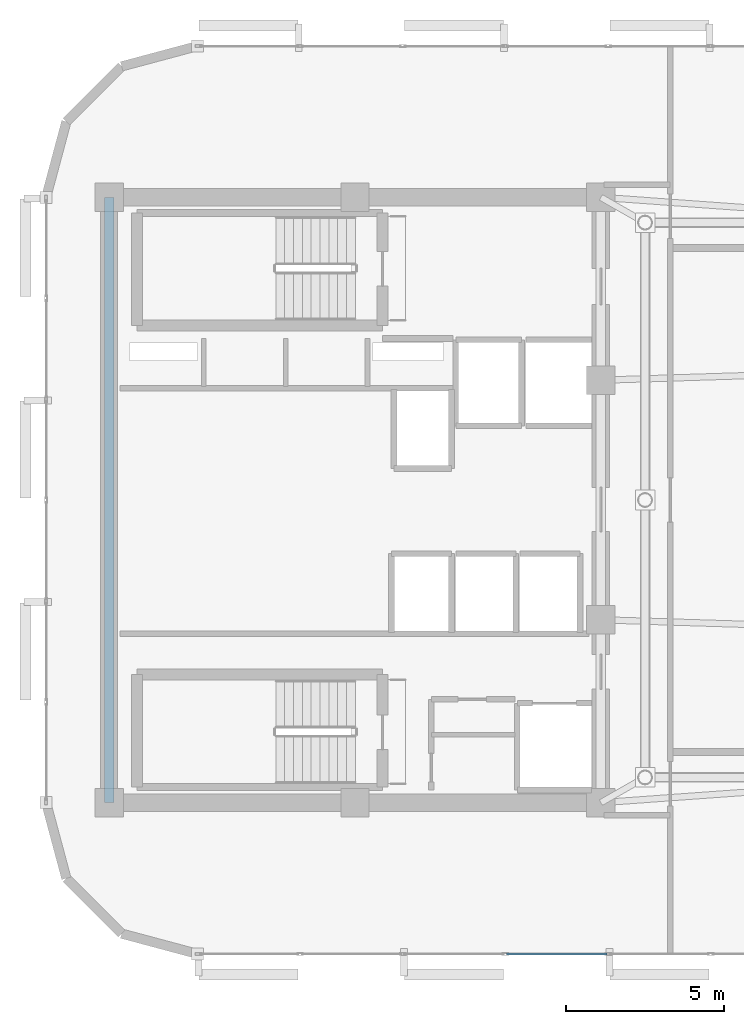
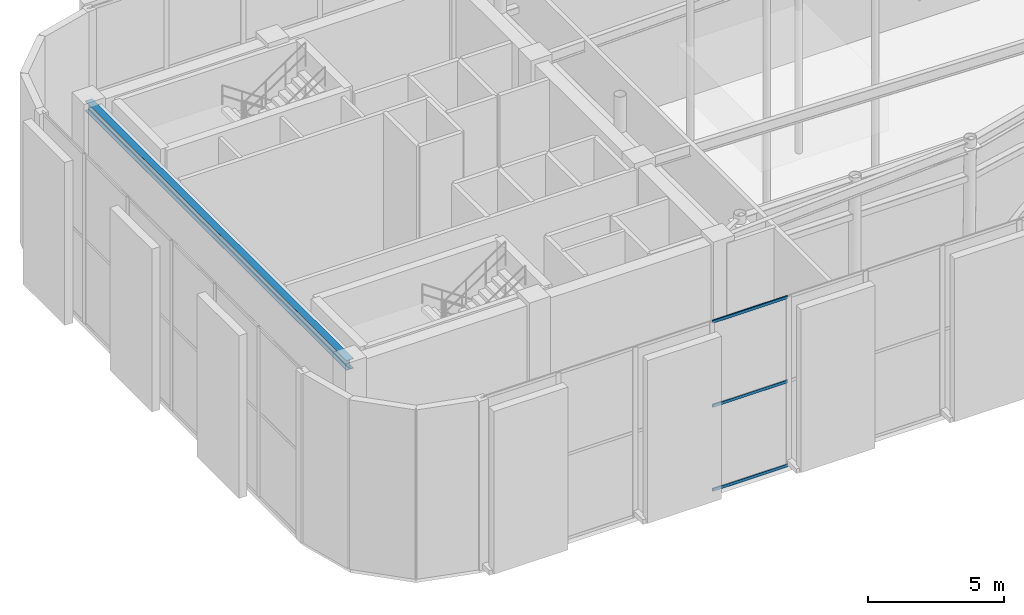
# One storey, part 4 of 22: 3 members, 1 beam, 1 element without a shape of its own.
"""IFC4 building model written with IfcOpenShell, lengths in metres."""

from ifc_helpers import new_model, si_unit, direction, frame, origin, origin_2d, place, context, subcontext, project, spatial, hollow_rectangle, i_section, extrude, material, layer, layer_set, material_profile, profile_set, type_object, element, aggregate, save


model = new_model("IFC4")

# Units and contexts
model_context = context("Model", 3, precision=1e-05, world=origin(), true_north=direction((0.0, 1.0)))
body_context = subcontext(model_context, "Body", "Model", "MODEL_VIEW")
ifc_project = project(units=[si_unit("LENGTHUNIT", "METRE"), si_unit("AREAUNIT", "SQUARE_METRE"), si_unit("VOLUMEUNIT", "CUBIC_METRE"), si_unit("PLANEANGLEUNIT", "RADIAN"), si_unit("MASSUNIT", "GRAM", prefix="KILO")], contexts=[model_context])

# Site, building, storey
site_placement = place(None, origin())
site = spatial("IfcSite", under=ifc_project, at=site_placement, CompositionType="ELEMENT")
building_placement = place(site_placement, origin())
building = spatial("IfcBuilding", under=site, at=building_placement, Name="An Khanh Terracotta Commons", CompositionType="ELEMENT")
storey_placement = place(building_placement, frame((0.0, 0.0, 300.39990234375)))
storey = spatial("IfcBuildingStorey", under=building, at=storey_placement, Name="L78 Crown Damper Chamber", CompositionType="ELEMENT", Elevation=300.39990234375)

# Beam
ifc_material_1 = material(Name="Steel S355J2", Category="steel")
ifc_material_profile_1 = material_profile(ifc_material_1, i_section(OverallWidth=0.300048828125, OverallDepth=0.449951171875, WebThickness=0.013916015625, FlangeThickness=0.02587890625, FilletRadius=0.027099609375, at=origin_2d()), Name="HEB450")
ifc_profile_set_1 = profile_set([ifc_material_profile_1], Name="Steel S355J2")
beam_type = type_object("IfcBeamType", Name="BM-HEB450", PredefinedType="BEAM", material=ifc_profile_set_1)
beam_placement = place(storey_placement, frame((21.60009765625, 14.39990234375, 7.155029296875), z_axis=(0.0, 1.0, 0.0), x_axis=(-1.0, 0.0, 0.0)))
element("IfcBeam", 1, at=beam_placement, inside=storey, type_object=beam_type, Name="L78 Crown Damper Chamber Core West Coupling Girder", PredefinedType="BEAM", context=body_context, shape_type="SweptSolid", body=[
    extrude(i_section(OverallWidth=0.300048828125, OverallDepth=0.449951171875, WebThickness=0.013916015625, FlangeThickness=0.02587890625, FilletRadius=0.027099609375, at=origin_2d()), origin(), (0.0, 0.0, 1.0), 19.2001953125),
])

# Curtain wall, members
ifc_material_2 = material(Name="Anodised Aluminium 6063-T6", Category="aluminium")
ifc_layer = layer(ifc_material_2, 0.25, Name="Anodised Aluminium 6063-T6")
ifc_layer_set = layer_set([ifc_layer], Name="Anodised Aluminium 6063-T6")
curtain_wall_type = type_object("IfcCurtainWallType", Name="CW-SYS-05", PredefinedType="USERDEFINED", material=ifc_layer_set)
curtain_wall_placement = place(storey_placement, origin())
curtain_wall = element("IfcCurtainWall", 2, at=curtain_wall_placement, inside=storey, type_object=curtain_wall_type, Name="L78 Crown Damper Chamber CW-05 Unitised Curtain Wall CW-L78-04", ObjectType="UNITISED CURTAIN WALL", PredefinedType="USERDEFINED")
ifc_material_profile_2 = material_profile(ifc_material_2, hollow_rectangle(XDim=0.06005859375, YDim=0.135009765625, WallThickness=0.003662109375, InnerFilletRadius=0.003662109375, OuterFilletRadius=0.007080078125, at=origin_2d()), Name="RHS135x60x3.6")
ifc_profile_set_2 = profile_set([ifc_material_profile_2], Name="Anodised Aluminium 6063-T6")
member_type = type_object("IfcMemberType", Name="CWT-RHS135x60x3.6", PredefinedType="USERDEFINED", material=ifc_profile_set_2)
member_1_placement = place(storey_placement, frame((34.21044921875, 9.60009765625, 0.030029296875), z_axis=(1.0, 0.0, 0.0), x_axis=(0.0, 1.0, 0.0)))
member_1 = element("IfcMember", 3, at=member_1_placement, type_object=member_type, Name="CW-05 transom 4.1", ObjectType="TRANSOM", PredefinedType="USERDEFINED", context=body_context, shape_type="SweptSolid", body=[
    extrude(hollow_rectangle(XDim=0.06005859375, YDim=0.135009765625, WallThickness=0.003662109375, InnerFilletRadius=0.003662109375, OuterFilletRadius=0.007080078125, at=origin_2d()), origin(), (0.0, 0.0, 1.0), 3.1767578125),
])
member_2_placement = place(storey_placement, frame((34.21044921875, 9.60009765625, 3.800048828125), z_axis=(1.0, 0.0, 0.0), x_axis=(0.0, 1.0, 0.0)))
member_2 = element("IfcMember", 4, at=member_2_placement, type_object=member_type, Name="CW-05 transom 4.2", ObjectType="TRANSOM", PredefinedType="USERDEFINED", context=body_context, shape_type="SweptSolid", body=[
    extrude(hollow_rectangle(XDim=0.06005859375, YDim=0.135009765625, WallThickness=0.003662109375, InnerFilletRadius=0.003662109375, OuterFilletRadius=0.007080078125, at=origin_2d()), origin(), (0.0, 0.0, 1.0), 3.1767578125),
])
member_3_placement = place(storey_placement, frame((34.21044921875, 9.60009765625, 7.570068359375), z_axis=(1.0, 0.0, 0.0), x_axis=(0.0, 1.0, 0.0)))
member_3 = element("IfcMember", 5, at=member_3_placement, type_object=member_type, Name="CW-05 transom 4.3", ObjectType="TRANSOM", PredefinedType="USERDEFINED", context=body_context, shape_type="SweptSolid", body=[
    extrude(hollow_rectangle(XDim=0.06005859375, YDim=0.135009765625, WallThickness=0.003662109375, InnerFilletRadius=0.003662109375, OuterFilletRadius=0.007080078125, at=origin_2d()), origin(), (0.0, 0.0, 1.0), 3.1767578125),
])
aggregate(curtain_wall, [member_1, member_2, member_3])

save(model, "model.ifc")
